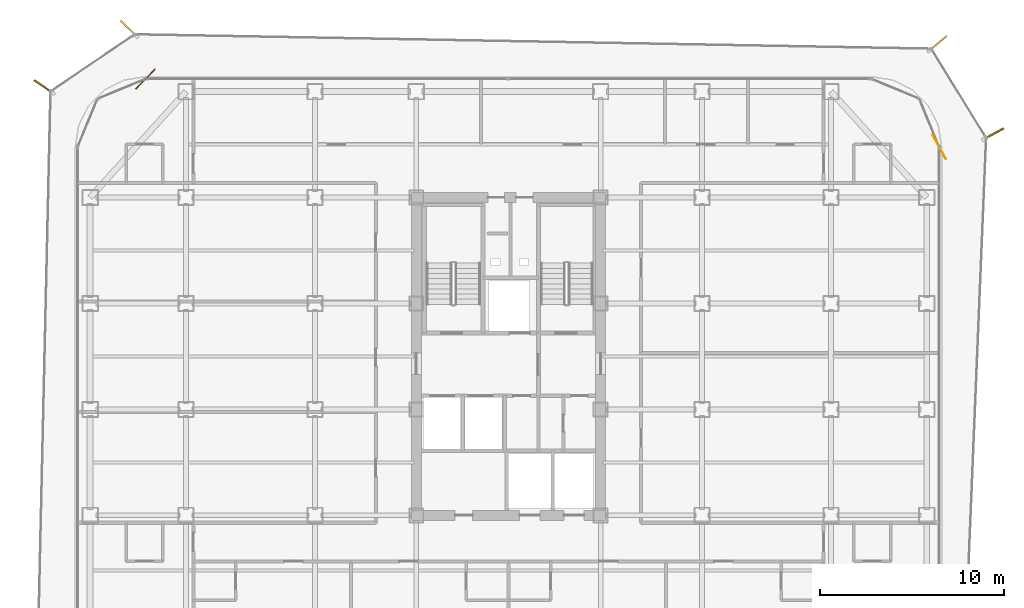
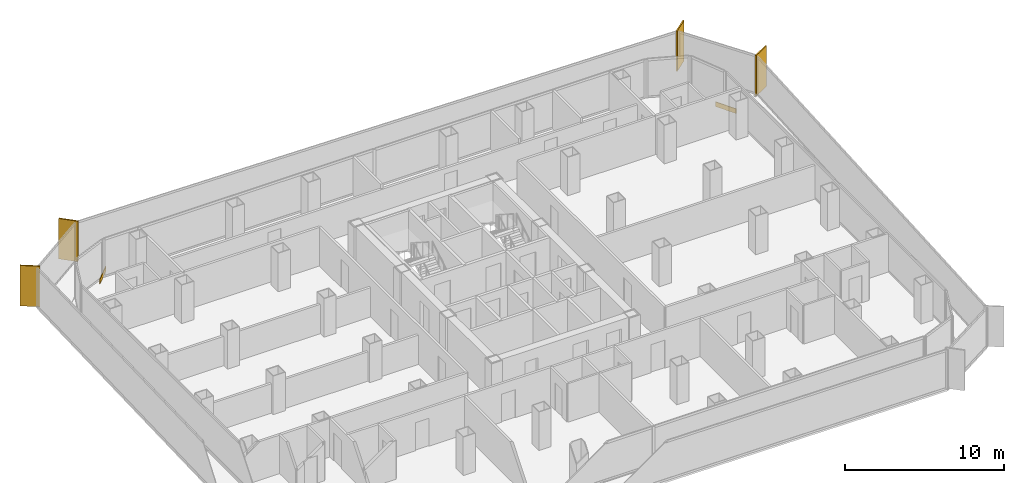
# One storey, part 21 of 21: 4 shading devices, 2 coverings.
"""IFC4 building model written with IfcOpenShell, lengths in metres."""

from ifc_helpers import new_model, si_unit, direction, frame, origin, origin_2d, place, context, subcontext, project, spatial, rectangle, extrude, source, transform, mapped, material, layer, layer_set, type_object, element, save


model = new_model("IFC4")

# Units and contexts
model_context = context("Model", 3, precision=1e-05, world=origin(), true_north=direction((0.0, 1.0)))
body_context = subcontext(model_context, "Body", "Model", "MODEL_VIEW")
ifc_project = project(units=[si_unit("LENGTHUNIT", "METRE"), si_unit("AREAUNIT", "SQUARE_METRE"), si_unit("VOLUMEUNIT", "CUBIC_METRE"), si_unit("PLANEANGLEUNIT", "RADIAN"), si_unit("MASSUNIT", "GRAM", prefix="KILO")], contexts=[model_context])

# Site, building, storey
site_placement = place(None, origin())
site = spatial("IfcSite", under=ifc_project, at=site_placement, CompositionType="ELEMENT")
building_placement = place(site_placement, origin())
building = spatial("IfcBuilding", under=site, at=building_placement, Name="Kolveth Station Tower", CompositionType="ELEMENT")
storey_placement = place(building_placement, frame((0.0, 0.0, 105.5)))
storey = spatial("IfcBuildingStorey", under=building, at=storey_placement, Name="L28", CompositionType="ELEMENT", Elevation=105.5)

# Shading devices
ifc_material_1 = material(Name="Black anodized aluminium 6063-T6", Category="aluminium")
shading_device_type = type_object("IfcShadingDeviceType", Name="FIN_VF1", PredefinedType="USERDEFINED", material=ifc_material_1)
shared_shape_1 = source(origin(), body_context, "Body", "SweptSolid", [
    extrude(rectangle(XDim=1.25, YDim=0.090087890625, at=origin_2d()), origin(), (0.0, 0.0, 1.0), 3.10009765625),
])
for number, where, z_axis, x_axis, name in (
    (1, (49.822998046875, 32.202880859375, 0.0), (0.0, 0.0, 1.0), (0.87512691893, 0.483893454972, 0.0), "L28 Dark-Aluminium Solar Fin 3"),
    (2, (46.7958984375, 37.10888671875, 0.0), (0.0, 0.0, 1.0), (0.76750090888, 0.641047856925, 0.0), "L28 Dark-Aluminium Solar Fin 4"),
    (3, (2.89697265625, 37.9140625, 0.0), (0.0, 0.0, 1.0), (-0.713005742217, 0.701158192968, 0.0), "L28 Dark-Aluminium Solar Fin 5"),
    (4, (-1.717041015625, 34.760986328125, 0.0), (0.0, 0.0, 1.0), (-0.827472780913, 0.561505829755, 0.0), "L28 Dark-Aluminium Solar Fin 6"),
):
    element("IfcShadingDevice", number, at=place(storey_placement, frame(where, z_axis=z_axis, x_axis=x_axis)), inside=storey, type_object=shading_device_type, Name=name, ObjectType="FIN", PredefinedType="USERDEFINED", context=body_context, shape_type="MappedRepresentation", body=[
        mapped(shared_shape_1, transform((0.0, 0.0, 0.0), x_axis=(1.0, 0.0, 0.0), y_axis=(0.0, 1.0, 0.0), z_axis=(0.0, 0.0, 1.0), scale=1.0)),
    ])

# Coverings
ifc_material_2 = material(Name="Charcoal anodized aluminium spandrel cladding", Category="aluminium")
ifc_layer = layer(ifc_material_2, 0.044921875)
ifc_layer_set = layer_set([ifc_layer], Name="Charcoal anodized aluminium spandrel cladding")
covering_type = type_object("IfcCoveringType", Name="Clad_CD1", PredefinedType="CLADDING", material=ifc_layer_set)
shared_shape_2 = source(origin(), body_context, "Body", "SweptSolid", [
    extrude(rectangle(XDim=1.5, YDim=0.044921875, at=origin_2d()), origin(), (0.0, 0.0, 1.0), 0.360107421875),
])
for number, where, z_axis, x_axis, name in (
    (5, (46.8798828125, 31.5, 0.0), (0.0, 0.0, 1.0), (-0.483893454972, 0.87512691893, 0.0), "L28 Spandrel Edge Cladding 3"),
    (6, (3.800048828125, 35.179931640625, 0.0), (0.0, 0.0, 1.0), (-0.701158192968, -0.713005742217, 0.0), "L28 Spandrel Edge Cladding 5"),
):
    element("IfcCovering", number, at=place(storey_placement, frame(where, z_axis=z_axis, x_axis=x_axis)), inside=storey, type_object=covering_type, Name=name, PredefinedType="CLADDING", context=body_context, shape_type="MappedRepresentation", body=[
        mapped(shared_shape_2, transform((0.0, 0.0, 0.0), x_axis=(1.0, 0.0, 0.0), y_axis=(0.0, 1.0, 0.0), z_axis=(0.0, 0.0, 1.0), scale=1.0)),
    ])

save(model, "model.ifc")
